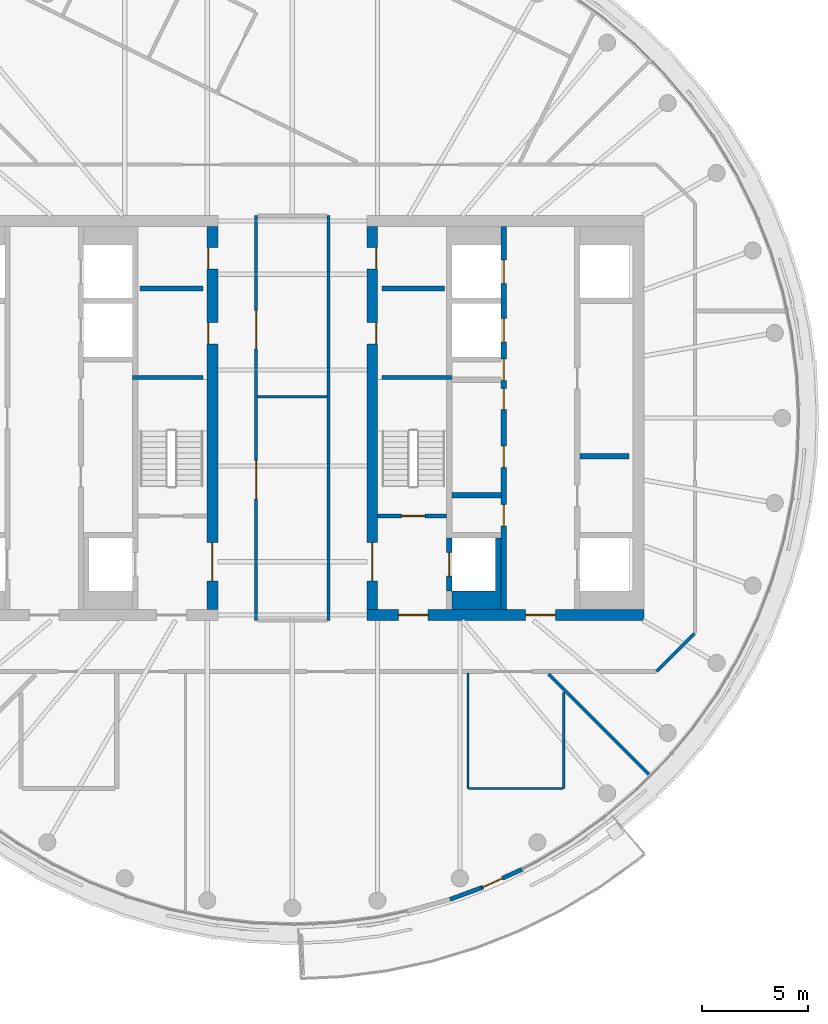
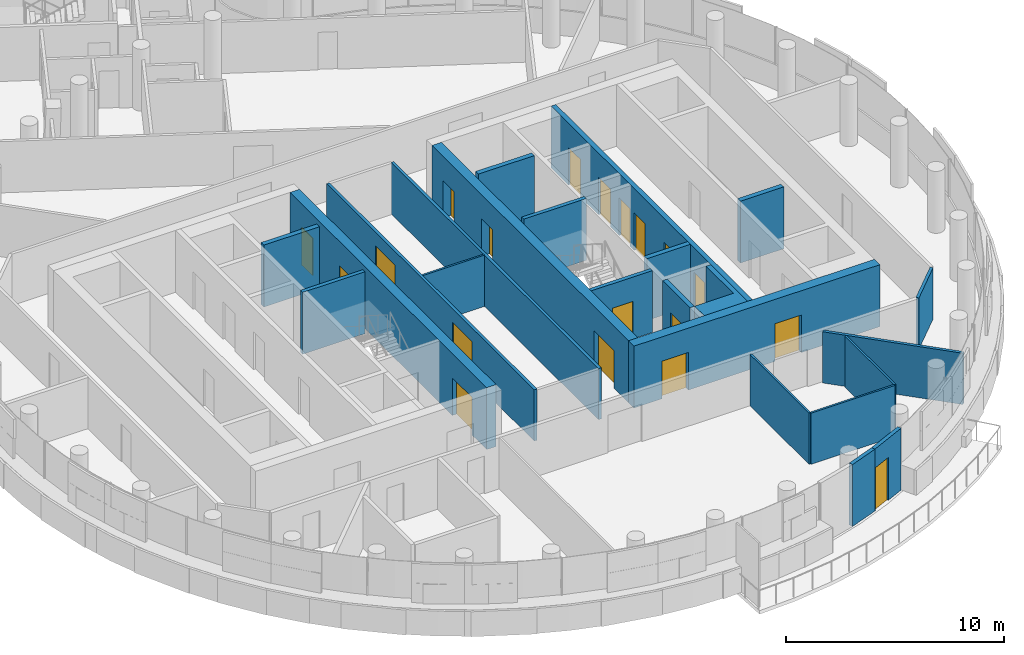
# One storey, part 14 of 21: 23 walls, 19 doors, 19 openings.
"""IFC4 building model written with IfcOpenShell, lengths in metres."""

from ifc_helpers import new_model, si_unit, direction, frame, frame_2d, origin, place, context, subcontext, project, spatial, polyline, rectangle, outline, extrude, material, layer, layer_set, type_object, element, fill, save


model = new_model("IFC4")

# Units and contexts
model_context = context("Model", 3, precision=1e-05, world=origin(), true_north=direction((0.0, 1.0)))
body_context = subcontext(model_context, "Body", "Model", "MODEL_VIEW")
ifc_project = project(units=[si_unit("LENGTHUNIT", "METRE"), si_unit("AREAUNIT", "SQUARE_METRE"), si_unit("VOLUMEUNIT", "CUBIC_METRE"), si_unit("PLANEANGLEUNIT", "RADIAN"), si_unit("MASSUNIT", "GRAM", prefix="KILO")], contexts=[model_context])

# Site, building, storey
site_placement = place(None, origin())
site = spatial("IfcSite", under=ifc_project, at=site_placement, CompositionType="ELEMENT")
building_placement = place(site_placement, origin())
building = spatial("IfcBuilding", under=site, at=building_placement, Name="Tamarind Cross Interchange Tower", CompositionType="ELEMENT")
storey_placement = place(building_placement, frame((0.0, 0.0, 264.0)))
storey = spatial("IfcBuildingStorey", under=building, at=storey_placement, Name="L67", CompositionType="ELEMENT", Elevation=264.0)

# Wall, opening, door
ifc_material_1 = material(Name="Concrete C40", Category="concrete")
ifc_layer_1 = layer(ifc_material_1, 0.199951171875)
ifc_layer_set_1 = layer_set([ifc_layer_1], Name="Concrete C40")
wall_type_1 = type_object("IfcWallType", Name="Balcony and garden door wall", PredefinedType="SOLIDWALL", material=ifc_layer_set_1)
wall_1_placement = place(storey_placement, frame((8.903564453125, -22.046142578125, 0.0), z_axis=(0.0, 0.0, 1.0), x_axis=(0.910249082094, 0.414061116923, 0.0)))
wall_1 = element("IfcWall", 1, at=wall_1_placement, inside=storey, type_object=wall_type_1, Name="EXW-L67-01-D15R", PredefinedType="SOLIDWALL", context=body_context, shape_type="SweptSolid", body=[
    extrude(rectangle(XDim=2.066162109375, YDim=0.199951171875, at=frame_2d((1.033203125, 0.0))), origin(), (0.0, 0.0, 1.0), 3.4599609375),
])
opening_1_placement = place(wall_1_placement, frame((0.050048828125, 0.0, 0.0)))
opening_1 = element("IfcOpeningElement", 2, at=opening_1_placement, cuts=wall_1, Name="Opening D2", PredefinedType="OPENING", context=body_context, shape_type="SweptSolid", body=[
    extrude(rectangle(XDim=1.0, YDim=2.39990234375, at=frame_2d((0.5, 1.199951171875))), frame((0.0, 0.10986328125, 0.0), z_axis=(0.0, -1.0, 0.0), x_axis=(1.0, 0.0, 0.0)), (0.0, 0.0, 1.0), 0.219970703125),
])
ifc_material_2 = material(Name="Aluminium and toughened glass", Category="aluminium")
door_type_1 = type_object("IfcDoorType", Name="Balcony and garden door", OperationType="SINGLE_SWING_LEFT", PredefinedType="DOOR", material=ifc_material_2)
door_1_placement = place(opening_1_placement, origin())
door_1 = element("IfcDoor", 3, at=door_1_placement, inside=storey, type_object=door_type_1, Name="DOR-L67-01-15", OperationType="SINGLE_SWING_LEFT", OverallHeight=2.39990234375, OverallWidth=1.0, PredefinedType="DOOR", context=body_context, shape_type="SweptSolid", body=[
    extrude(rectangle(XDim=1.0, YDim=2.39990234375, at=frame_2d((0.5, 1.199951171875))), frame((0.0, 0.02490234375, 0.0), z_axis=(0.0, -1.0, 0.0), x_axis=(1.0, 0.0, 0.0)), (0.0, 0.0, 1.0), 0.050048828125),
])
fill(opening_1, door_1)

# Wall
wall_2_placement = place(storey_placement, frame((7.40380859375, -22.599853515625, 0.0), z_axis=(0.0, 0.0, 1.0), x_axis=(0.938105634582, 0.346349272217, 0.0)))
element("IfcWall", 4, at=wall_2_placement, inside=storey, type_object=wall_type_1, Name="EXW-L67-01-D15", PredefinedType="SOLIDWALL", context=body_context, shape_type="SweptSolid", body=[
    extrude(rectangle(XDim=1.5986328125, YDim=0.199951171875, at=frame_2d((0.79931640625, 0.0))), origin(), (0.0, 0.0, 1.0), 3.4599609375),
])

# Wall, openings, doors
ifc_material_3 = material(Name="Concrete C50", Category="concrete")
ifc_layer_2 = layer(ifc_material_3, 0.5)
ifc_layer_set_2 = layer_set([ifc_layer_2], Name="Concrete C50")
wall_type_2 = type_object("IfcWallType", Name="Core wall 500 mm Concrete C50", PredefinedType="SHEAR", material=ifc_layer_set_2)
wall_3_placement = place(storey_placement, frame((-3.75, -9.0, 0.0), z_axis=(0.0, 0.0, 1.0), x_axis=(0.0, 1.0, 0.0)))
wall_3 = element("IfcWall", 5, at=wall_3_placement, inside=storey, type_object=wall_type_2, Name="Core wall CWL-L67-W-IN", PredefinedType="SHEAR", context=body_context, shape_type="SweptSolid", body=[
    extrude(rectangle(XDim=18.0, YDim=0.5, at=frame_2d((9.0, 0.0))), origin(), (0.0, 0.0, 1.0), 3.4599609375),
])
opening_2_placement = place(wall_3_placement, frame((1.35009765625, 0.0, 0.0)))
opening_2 = element("IfcOpeningElement", 6, at=opening_2_placement, cuts=wall_3, Name="Opening DCW4", PredefinedType="OPENING", context=body_context, shape_type="SweptSolid", body=[
    extrude(rectangle(XDim=1.800048828125, YDim=2.10009765625, at=frame_2d((0.89990234375, 1.050048828125))), frame((0.0, 0.260009765625, 0.0), z_axis=(0.0, -1.0, 0.0), x_axis=(1.0, 0.0, 0.0)), (0.0, 0.0, 1.0), 0.52001953125),
])
opening_3_placement = place(wall_3_placement, frame((12.4775390625, 0.0, 0.0)))
opening_3 = element("IfcOpeningElement", 7, at=opening_3_placement, cuts=wall_3, Name="Opening DCW5", PredefinedType="OPENING", context=body_context, shape_type="SweptSolid", body=[
    extrude(rectangle(XDim=1.0, YDim=2.10009765625, at=frame_2d((0.5, 1.050048828125))), frame((0.0, 0.260009765625, 0.0), z_axis=(0.0, -1.0, 0.0), x_axis=(1.0, 0.0, 0.0)), (0.0, 0.0, 1.0), 0.52001953125),
])
opening_4_placement = place(wall_3_placement, frame((16.00244140625, 0.0, 0.0)))
opening_4 = element("IfcOpeningElement", 8, at=opening_4_placement, cuts=wall_3, Name="Opening DCW5", PredefinedType="OPENING", context=body_context, shape_type="SweptSolid", body=[
    extrude(rectangle(XDim=1.0, YDim=2.10009765625, at=frame_2d((0.5, 1.050048828125))), frame((0.0, 0.260009765625, 0.0), z_axis=(0.0, -1.0, 0.0), x_axis=(1.0, 0.0, 0.0)), (0.0, 0.0, 1.0), 0.52001953125),
])
ifc_material_4 = material(Name="Steel, fire-resisting", Category="steel")
door_type_2 = type_object("IfcDoorType", Name="Core fire door 1000 x 2100 FD90", OperationType="SINGLE_SWING_LEFT", PredefinedType="DOOR", material=ifc_material_4)
door_2_placement = place(opening_3_placement, origin())
door_2 = element("IfcDoor", 9, at=door_2_placement, inside=storey, type_object=door_type_2, Name="L67 housekeeping pantry door", OperationType="SINGLE_SWING_LEFT", OverallHeight=2.10009765625, OverallWidth=1.0, PredefinedType="DOOR", context=body_context, shape_type="SweptSolid", body=[
    extrude(rectangle(XDim=1.0, YDim=2.10009765625, at=frame_2d((0.5, 1.050048828125))), frame((0.0, 0.22509765625, 0.0), z_axis=(0.0, -1.0, 0.0), x_axis=(1.0, 0.0, 0.0)), (0.0, 0.0, 1.0), 0.050048828125),
])
fill(opening_3, door_2)
door_3_placement = place(opening_4_placement, origin())
door_3 = element("IfcDoor", 10, at=door_3_placement, inside=storey, type_object=door_type_2, Name="L67 linen press door", OperationType="SINGLE_SWING_LEFT", OverallHeight=2.10009765625, OverallWidth=1.0, PredefinedType="DOOR", context=body_context, shape_type="SweptSolid", body=[
    extrude(rectangle(XDim=1.0, YDim=2.10009765625, at=frame_2d((0.5, 1.050048828125))), frame((0.0, 0.22509765625, 0.0), z_axis=(0.0, -1.0, 0.0), x_axis=(1.0, 0.0, 0.0)), (0.0, 0.0, 1.0), 0.050048828125),
])
fill(opening_4, door_3)
door_type_3 = type_object("IfcDoorType", Name="Core fire door 1800 x 2100 FD90", OperationType="SINGLE_SWING_LEFT", PredefinedType="DOOR", material=ifc_material_4)
door_4_placement = place(opening_2_placement, origin())
door_4 = element("IfcDoor", 11, at=door_4_placement, inside=storey, type_object=door_type_3, Name="L67 firefighting lobby door", OperationType="SINGLE_SWING_LEFT", OverallHeight=2.10009765625, OverallWidth=1.800048828125, PredefinedType="DOOR", context=body_context, shape_type="SweptSolid", body=[
    extrude(rectangle(XDim=1.800048828125, YDim=2.10009765625, at=frame_2d((0.89990234375, 1.050048828125))), frame((0.0, 0.02490234375, 0.0), z_axis=(0.0, -1.0, 0.0), x_axis=(1.0, 0.0, 0.0)), (0.0, 0.0, 1.0), 0.050048828125),
])
fill(opening_2, door_4)

wall_4_placement = place(storey_placement, frame((16.5, -9.25, 0.0), z_axis=(0.0, 0.0, 1.0), x_axis=(-1.0, 0.0, 0.0)))
wall_4 = element("IfcWall", 12, at=wall_4_placement, inside=storey, type_object=wall_type_2, Name="Core wall CWL-L67-E-S", PredefinedType="SHEAR", context=body_context, shape_type="SweptSolid", body=[
    extrude(rectangle(XDim=13.0, YDim=0.5, at=frame_2d((6.5, 0.0))), origin(), (0.0, 0.0, 1.0), 3.4599609375),
])
opening_5_placement = place(wall_4_placement, frame((4.14990234375, 0.0, 0.0)))
opening_5 = element("IfcOpeningElement", 13, at=opening_5_placement, cuts=wall_4, Name="Opening DCE1", PredefinedType="OPENING", context=body_context, shape_type="SweptSolid", body=[
    extrude(rectangle(XDim=1.39990234375, YDim=2.10009765625, at=frame_2d((0.699951171875, 1.050048828125))), frame((0.0, 0.260009765625, 0.0), z_axis=(0.0, -1.0, 0.0), x_axis=(1.0, 0.0, 0.0)), (0.0, 0.0, 1.0), 0.52001953125),
])
opening_6_placement = place(wall_4_placement, frame((10.125, 0.0, 0.0)))
opening_6 = element("IfcOpeningElement", 14, at=opening_6_placement, cuts=wall_4, Name="Opening DCEF", PredefinedType="OPENING", context=body_context, shape_type="SweptSolid", body=[
    extrude(rectangle(XDim=1.39990234375, YDim=2.10009765625, at=frame_2d((0.699951171875, 1.050048828125))), frame((0.0, 0.260009765625, 0.0), z_axis=(0.0, -1.0, 0.0), x_axis=(1.0, 0.0, 0.0)), (0.0, 0.0, 1.0), 0.52001953125),
])
door_type_4 = type_object("IfcDoorType", Name="Core fire door 1400 x 2100 FD90", OperationType="SINGLE_SWING_LEFT", PredefinedType="DOOR", material=ifc_material_4)
door_5_placement = place(opening_5_placement, origin())
door_5 = element("IfcDoor", 15, at=door_5_placement, inside=storey, type_object=door_type_4, Name="L67 lift lobby door", OperationType="SINGLE_SWING_LEFT", OverallHeight=2.10009765625, OverallWidth=1.39990234375, PredefinedType="DOOR", context=body_context, shape_type="SweptSolid", body=[
    extrude(rectangle(XDim=1.39990234375, YDim=2.10009765625, at=frame_2d((0.699951171875, 1.050048828125))), frame((0.0, 0.02490234375, 0.0), z_axis=(0.0, -1.0, 0.0), x_axis=(1.0, 0.0, 0.0)), (0.0, 0.0, 1.0), 0.050048828125),
])
fill(opening_5, door_5)
door_6_placement = place(opening_6_placement, origin())
door_6 = element("IfcDoor", 16, at=door_6_placement, inside=storey, type_object=door_type_4, Name="L67 firefighting lobby end door", OperationType="SINGLE_SWING_LEFT", OverallHeight=2.10009765625, OverallWidth=1.39990234375, PredefinedType="DOOR", context=body_context, shape_type="SweptSolid", body=[
    extrude(rectangle(XDim=1.39990234375, YDim=2.10009765625, at=frame_2d((0.699951171875, 1.050048828125))), frame((0.0, 0.02490234375, 0.0), z_axis=(0.0, -1.0, 0.0), x_axis=(1.0, 0.0, 0.0)), (0.0, 0.0, 1.0), 0.050048828125),
])
fill(opening_6, door_6)

wall_5_placement = place(storey_placement, frame((3.75, -9.0, 0.0), z_axis=(0.0, 0.0, 1.0), x_axis=(0.0, 1.0, 0.0)))
wall_5 = element("IfcWall", 17, at=wall_5_placement, inside=storey, type_object=wall_type_2, Name="Core wall CWL-L67-E-IN", PredefinedType="SHEAR", context=body_context, shape_type="SweptSolid", body=[
    extrude(rectangle(XDim=18.0, YDim=0.5, at=frame_2d((9.0, 0.0))), origin(), (0.0, 0.0, 1.0), 3.4599609375),
])
opening_7_placement = place(wall_5_placement, frame((1.35009765625, 0.0, 0.0)))
opening_7 = element("IfcOpeningElement", 18, at=opening_7_placement, cuts=wall_5, Name="Opening DCE4", PredefinedType="OPENING", context=body_context, shape_type="SweptSolid", body=[
    extrude(rectangle(XDim=1.800048828125, YDim=2.10009765625, at=frame_2d((0.89990234375, 1.050048828125))), frame((0.0, 0.260009765625, 0.0), z_axis=(0.0, -1.0, 0.0), x_axis=(1.0, 0.0, 0.0)), (0.0, 0.0, 1.0), 0.52001953125),
])
opening_8_placement = place(wall_5_placement, frame((12.4775390625, 0.0, 0.0)))
opening_8 = element("IfcOpeningElement", 19, at=opening_8_placement, cuts=wall_5, Name="Opening DCE5", PredefinedType="OPENING", context=body_context, shape_type="SweptSolid", body=[
    extrude(rectangle(XDim=1.0, YDim=2.10009765625, at=frame_2d((0.5, 1.050048828125))), frame((0.0, 0.260009765625, 0.0), z_axis=(0.0, -1.0, 0.0), x_axis=(1.0, 0.0, 0.0)), (0.0, 0.0, 1.0), 0.52001953125),
])
opening_9_placement = place(wall_5_placement, frame((16.00244140625, 0.0, 0.0)))
opening_9 = element("IfcOpeningElement", 20, at=opening_9_placement, cuts=wall_5, Name="Opening DCE5", PredefinedType="OPENING", context=body_context, shape_type="SweptSolid", body=[
    extrude(rectangle(XDim=1.0, YDim=2.10009765625, at=frame_2d((0.5, 1.050048828125))), frame((0.0, 0.260009765625, 0.0), z_axis=(0.0, -1.0, 0.0), x_axis=(1.0, 0.0, 0.0)), (0.0, 0.0, 1.0), 0.52001953125),
])
door_7_placement = place(opening_8_placement, origin())
door_7 = element("IfcDoor", 21, at=door_7_placement, inside=storey, type_object=door_type_2, Name="L67 housekeeping pantry door", OperationType="SINGLE_SWING_LEFT", OverallHeight=2.10009765625, OverallWidth=1.0, PredefinedType="DOOR", context=body_context, shape_type="SweptSolid", body=[
    extrude(rectangle(XDim=1.0, YDim=2.10009765625, at=frame_2d((0.5, 1.050048828125))), frame((0.0, -0.1748046875, 0.0), z_axis=(0.0, -1.0, 0.0), x_axis=(1.0, 0.0, 0.0)), (0.0, 0.0, 1.0), 0.050048828125),
])
fill(opening_8, door_7)
door_8_placement = place(opening_9_placement, origin())
door_8 = element("IfcDoor", 22, at=door_8_placement, inside=storey, type_object=door_type_2, Name="L67 linen press door", OperationType="SINGLE_SWING_LEFT", OverallHeight=2.10009765625, OverallWidth=1.0, PredefinedType="DOOR", context=body_context, shape_type="SweptSolid", body=[
    extrude(rectangle(XDim=1.0, YDim=2.10009765625, at=frame_2d((0.5, 1.050048828125))), frame((0.0, -0.1748046875, 0.0), z_axis=(0.0, -1.0, 0.0), x_axis=(1.0, 0.0, 0.0)), (0.0, 0.0, 1.0), 0.050048828125),
])
fill(opening_9, door_8)
door_9_placement = place(opening_7_placement, origin())
door_9 = element("IfcDoor", 23, at=door_9_placement, inside=storey, type_object=door_type_3, Name="L67 firefighting lobby door", OperationType="SINGLE_SWING_LEFT", OverallHeight=2.10009765625, OverallWidth=1.800048828125, PredefinedType="DOOR", context=body_context, shape_type="SweptSolid", body=[
    extrude(rectangle(XDim=1.800048828125, YDim=2.10009765625, at=frame_2d((0.89990234375, 1.050048828125))), frame((0.0, 0.02490234375, 0.0), z_axis=(0.0, -1.0, 0.0), x_axis=(1.0, 0.0, 0.0)), (0.0, 0.0, 1.0), 0.050048828125),
])
fill(opening_7, door_9)

# Walls
ifc_layer_3 = layer(ifc_material_3, 0.199951171875)
ifc_layer_set_3 = layer_set([ifc_layer_3], Name="Concrete C50")
wall_type_3 = type_object("IfcWallType", Name="Core web wall 200 mm Concrete C50", PredefinedType="SHEAR", material=ifc_layer_set_3)
for number, where, z_axis, x_axis, name in (
    (24, (-7.5, 1.89990234375, 0.0), (0.0, 0.0, 1.0), (1.0, 0.0, 0.0), "Core wall CWL-L67-W-BD"),
    (25, (7.5, 1.89990234375, 0.0), (0.0, 0.0, 1.0), (-1.0, 0.0, 0.0), "Core wall CWL-L67-E-BD"),
):
    element("IfcWall", number, at=place(storey_placement, frame(where, z_axis=z_axis, x_axis=x_axis)), inside=storey, type_object=wall_type_3, Name=name, PredefinedType="SHEAR", context=body_context, shape_type="SweptSolid", body=[
        extrude(rectangle(XDim=3.300048828125, YDim=0.199951171875, at=frame_2d((1.64990234375, 0.0))), origin(), (0.0, 0.0, 1.0), 3.4599609375),
    ])
ifc_layer_4 = layer(ifc_material_3, 0.25)
ifc_layer_set_4 = layer_set([ifc_layer_4], Name="Concrete C50")
wall_type_4 = type_object("IfcWallType", Name="Core web wall 250 mm Concrete C50", PredefinedType="SHEAR", material=ifc_layer_set_4)
wall_6_placement = place(storey_placement, origin())
element("IfcWall", 26, at=wall_6_placement, inside=storey, type_object=wall_type_4, Name="Core wall CWL-L67-E-BS", PredefinedType="SHEAR", context=body_context, shape_type="SweptSolid", body=[
    extrude(outline(polyline([(7.5, -8.125), (7.5, -9.0), (9.800048828125, -9.0), (9.800048828125, -8.125), (9.800048828125, -5.625), (9.550048828125, -5.625), (9.550048828125, -8.125), (7.5, -8.125)])), origin(), (0.0, 0.0, 1.0), 3.4599609375),
])

# Wall, openings, doors
wall_7_placement = place(storey_placement, frame((9.925048828125, -9.0, 0.0), z_axis=(0.0, 0.0, 1.0), x_axis=(0.0, 1.0, 0.0)))
wall_7 = element("IfcWall", 27, at=wall_7_placement, inside=storey, type_object=wall_type_4, Name="Core wall CWL-L67-E-LB", PredefinedType="SHEAR", context=body_context, shape_type="SweptSolid", body=[
    extrude(rectangle(XDim=18.0, YDim=0.25, at=frame_2d((9.0, 0.0))), origin(), (0.0, 0.0, 1.0), 3.4599609375),
])
opening_10_placement = place(wall_7_placement, frame((12.574951171875, 0.0, 0.0)))
opening_10 = element("IfcOpeningElement", 28, at=opening_10_placement, cuts=wall_7, Name="Opening LD23L67", PredefinedType="OPENING", context=body_context, shape_type="SweptSolid", body=[
    extrude(rectangle(XDim=1.10009765625, YDim=2.10009765625, at=frame_2d((0.550048828125, 1.050048828125))), frame((0.0, 0.135009765625, 0.0), z_axis=(0.0, -1.0, 0.0), x_axis=(1.0, 0.0, 0.0)), (0.0, 0.0, 1.0), 0.27001953125),
])
opening_11_placement = place(wall_7_placement, frame((15.324951171875, 0.0, 0.0)))
opening_11 = element("IfcOpeningElement", 29, at=opening_11_placement, cuts=wall_7, Name="Opening LD24L67", PredefinedType="OPENING", context=body_context, shape_type="SweptSolid", body=[
    extrude(rectangle(XDim=1.10009765625, YDim=2.10009765625, at=frame_2d((0.550048828125, 1.050048828125))), frame((0.0, 0.135009765625, 0.0), z_axis=(0.0, -1.0, 0.0), x_axis=(1.0, 0.0, 0.0)), (0.0, 0.0, 1.0), 0.27001953125),
])
opening_12_placement = place(wall_7_placement, frame((3.9375, 0.0, 0.0)))
opening_12 = element("IfcOpeningElement", 30, at=opening_12_placement, cuts=wall_7, Name="Opening DCE21", PredefinedType="OPENING", context=body_context, shape_type="SweptSolid", body=[
    extrude(rectangle(XDim=1.0, YDim=2.10009765625, at=frame_2d((0.5, 1.050048828125))), frame((0.0, 0.135009765625, 0.0), z_axis=(0.0, -1.0, 0.0), x_axis=(1.0, 0.0, 0.0)), (0.0, 0.0, 1.0), 0.27001953125),
])
opening_13_placement = place(wall_7_placement, frame((6.6875, 0.0, 0.0)))
opening_13 = element("IfcOpeningElement", 31, at=opening_13_placement, cuts=wall_7, Name="Opening DCE22", PredefinedType="OPENING", context=body_context, shape_type="SweptSolid", body=[
    extrude(rectangle(XDim=1.0, YDim=2.10009765625, at=frame_2d((0.5, 1.050048828125))), frame((0.0, 0.135009765625, 0.0), z_axis=(0.0, -1.0, 0.0), x_axis=(1.0, 0.0, 0.0)), (0.0, 0.0, 1.0), 0.27001953125),
])
opening_14_placement = place(wall_7_placement, frame((9.39599609375, 0.0, 0.0)))
opening_14 = element("IfcOpeningElement", 32, at=opening_14_placement, cuts=wall_7, Name="Opening DCE21", PredefinedType="OPENING", context=body_context, shape_type="SweptSolid", body=[
    extrude(rectangle(XDim=1.0, YDim=2.10009765625, at=frame_2d((0.5, 1.050048828125))), frame((0.0, 0.135009765625, 0.0), z_axis=(0.0, -1.0, 0.0), x_axis=(1.0, 0.0, 0.0)), (0.0, 0.0, 1.0), 0.27001953125),
])
opening_15_placement = place(wall_7_placement, frame((10.77099609375, 0.0, 0.0)))
opening_15 = element("IfcOpeningElement", 33, at=opening_15_placement, cuts=wall_7, Name="Opening DCE22", PredefinedType="OPENING", context=body_context, shape_type="SweptSolid", body=[
    extrude(rectangle(XDim=1.0, YDim=2.10009765625, at=frame_2d((0.5, 1.050048828125))), frame((0.0, 0.135009765625, 0.0), z_axis=(0.0, -1.0, 0.0), x_axis=(1.0, 0.0, 0.0)), (0.0, 0.0, 1.0), 0.27001953125),
])
door_10_placement = place(opening_12_placement, origin())
door_10 = element("IfcDoor", 34, at=door_10_placement, inside=storey, type_object=door_type_2, Name="L67 Linen press door", OperationType="SINGLE_SWING_LEFT", OverallHeight=2.10009765625, OverallWidth=1.0, PredefinedType="DOOR", context=body_context, shape_type="SweptSolid", body=[
    extrude(rectangle(XDim=1.0, YDim=2.10009765625, at=frame_2d((0.5, 1.050048828125))), frame((0.0, 0.02490234375, 0.0), z_axis=(0.0, -1.0, 0.0), x_axis=(1.0, 0.0, 0.0)), (0.0, 0.0, 1.0), 0.050048828125),
])
fill(opening_12, door_10)
door_11_placement = place(opening_13_placement, origin())
door_11 = element("IfcDoor", 35, at=door_11_placement, inside=storey, type_object=door_type_2, Name="L67 Hotel pantry door", OperationType="SINGLE_SWING_LEFT", OverallHeight=2.10009765625, OverallWidth=1.0, PredefinedType="DOOR", context=body_context, shape_type="SweptSolid", body=[
    extrude(rectangle(XDim=1.0, YDim=2.10009765625, at=frame_2d((0.5, 1.050048828125))), frame((0.0, 0.02490234375, 0.0), z_axis=(0.0, -1.0, 0.0), x_axis=(1.0, 0.0, 0.0)), (0.0, 0.0, 1.0), 0.050048828125),
])
fill(opening_13, door_11)
door_12_placement = place(opening_14_placement, origin())
door_12 = element("IfcDoor", 36, at=door_12_placement, inside=storey, type_object=door_type_2, Name="L67 Linen press door", OperationType="SINGLE_SWING_LEFT", OverallHeight=2.10009765625, OverallWidth=1.0, PredefinedType="DOOR", context=body_context, shape_type="SweptSolid", body=[
    extrude(rectangle(XDim=1.0, YDim=2.10009765625, at=frame_2d((0.5, 1.050048828125))), frame((0.0, 0.02490234375, 0.0), z_axis=(0.0, -1.0, 0.0), x_axis=(1.0, 0.0, 0.0)), (0.0, 0.0, 1.0), 0.050048828125),
])
fill(opening_14, door_12)
door_13_placement = place(opening_15_placement, origin())
door_13 = element("IfcDoor", 37, at=door_13_placement, inside=storey, type_object=door_type_2, Name="L67 Hotel pantry door", OperationType="SINGLE_SWING_LEFT", OverallHeight=2.10009765625, OverallWidth=1.0, PredefinedType="DOOR", context=body_context, shape_type="SweptSolid", body=[
    extrude(rectangle(XDim=1.0, YDim=2.10009765625, at=frame_2d((0.5, 1.050048828125))), frame((0.0, 0.02490234375, 0.0), z_axis=(0.0, -1.0, 0.0), x_axis=(1.0, 0.0, 0.0)), (0.0, 0.0, 1.0), 0.050048828125),
])
fill(opening_15, door_13)
ifc_material_5 = material(Name="Stainless steel panel", Category="steel")
door_type_5 = type_object("IfcDoorType", Name="Lift landing door 1100 x 2100 E 120", OperationType="SLIDING_TO_LEFT", PredefinedType="DOOR", material=ifc_material_5)
door_14_placement = place(opening_10_placement, origin())
door_14 = element("IfcDoor", 38, at=door_14_placement, inside=storey, type_object=door_type_5, Name="L67 landing door LF23", OperationType="SLIDING_TO_LEFT", OverallHeight=2.10009765625, OverallWidth=1.10009765625, PredefinedType="DOOR", context=body_context, shape_type="SweptSolid", body=[
    extrude(rectangle(XDim=1.10009765625, YDim=2.10009765625, at=frame_2d((0.550048828125, 1.050048828125))), frame((0.0, 0.02490234375, 0.0), z_axis=(0.0, -1.0, 0.0), x_axis=(1.0, 0.0, 0.0)), (0.0, 0.0, 1.0), 0.050048828125),
])
fill(opening_10, door_14)
door_15_placement = place(opening_11_placement, origin())
door_15 = element("IfcDoor", 39, at=door_15_placement, inside=storey, type_object=door_type_5, Name="L67 landing door LF24", OperationType="SLIDING_TO_LEFT", OverallHeight=2.10009765625, OverallWidth=1.10009765625, PredefinedType="DOOR", context=body_context, shape_type="SweptSolid", body=[
    extrude(rectangle(XDim=1.10009765625, YDim=2.10009765625, at=frame_2d((0.550048828125, 1.050048828125))), frame((0.0, 0.02490234375, 0.0), z_axis=(0.0, -1.0, 0.0), x_axis=(1.0, 0.0, 0.0)), (0.0, 0.0, 1.0), 0.050048828125),
])
fill(opening_11, door_15)

# Wall, opening, door
wall_8_placement = place(storey_placement, frame((7.375, -8.125, 0.0), z_axis=(0.0, 0.0, 1.0), x_axis=(0.0, 1.0, 0.0)))
wall_8 = element("IfcWall", 40, at=wall_8_placement, inside=storey, type_object=wall_type_4, Name="Core wall CWL-L67-E-FF", PredefinedType="SHEAR", context=body_context, shape_type="SweptSolid", body=[
    extrude(rectangle(XDim=2.5, YDim=0.25, at=frame_2d((1.25, 0.0))), origin(), (0.0, 0.0, 1.0), 3.4599609375),
])
opening_16_placement = place(wall_8_placement, frame((0.699951171875, 0.0, 0.0)))
opening_16 = element("IfcOpeningElement", 41, at=opening_16_placement, cuts=wall_8, Name="Opening LD19L67", PredefinedType="OPENING", context=body_context, shape_type="SweptSolid", body=[
    extrude(rectangle(XDim=1.10009765625, YDim=2.10009765625, at=frame_2d((0.550048828125, 1.050048828125))), frame((0.0, 0.135009765625, 0.0), z_axis=(0.0, -1.0, 0.0), x_axis=(1.0, 0.0, 0.0)), (0.0, 0.0, 1.0), 0.27001953125),
])
door_16_placement = place(opening_16_placement, origin())
door_16 = element("IfcDoor", 42, at=door_16_placement, inside=storey, type_object=door_type_5, Name="L67 landing door LF19", OperationType="SLIDING_TO_LEFT", OverallHeight=2.10009765625, OverallWidth=1.10009765625, PredefinedType="DOOR", context=body_context, shape_type="SweptSolid", body=[
    extrude(rectangle(XDim=1.10009765625, YDim=2.10009765625, at=frame_2d((0.550048828125, 1.050048828125))), frame((0.0, 0.02490234375, 0.0), z_axis=(0.0, -1.0, 0.0), x_axis=(1.0, 0.0, 0.0)), (0.0, 0.0, 1.0), 0.050048828125),
])
fill(opening_16, door_16)

# Walls
ifc_material_6 = material(Name="Gypsum board partition on steel studs", Category="steel")
ifc_layer_5 = layer(ifc_material_6, 0.10009765625)
ifc_layer_set_5 = layer_set([ifc_layer_5], Name="Gypsum board partition on steel studs")
wall_type_5 = type_object("IfcWallType", Name="Partition 100 mm EI 120", PredefinedType="PARTITIONING", material=ifc_layer_set_5)
wall_9_placement = place(storey_placement, frame((-1.639892578125, 1.0, 0.0), z_axis=(0.0, 0.0, 1.0), x_axis=(1.0, 0.0, 0.0)))
element("IfcWall", 43, at=wall_9_placement, inside=storey, type_object=wall_type_5, Name="Partition L67-023", PredefinedType="PARTITIONING", context=body_context, shape_type="SweptSolid", body=[
    extrude(rectangle(XDim=3.27978515625, YDim=0.10009765625, at=frame_2d((1.639892578125, 0.0))), origin(), (0.0, 0.0, 1.0), 2.864013671875),
])
ifc_layer_6 = layer(ifc_material_6, 0.10009765625)
ifc_layer_set_6 = layer_set([ifc_layer_6], Name="Gypsum board partition on steel studs")
wall_type_6 = type_object("IfcWallType", Name="Partition 100 mm EI 90", PredefinedType="PARTITIONING", material=ifc_layer_set_6)
wall_10_placement = place(storey_placement, frame((8.27587890625, -17.39990234375, 0.0), z_axis=(0.0, 0.0, 1.0), x_axis=(1.0, 0.0, 0.0)))
element("IfcWall", 44, at=wall_10_placement, inside=storey, type_object=wall_type_6, Name="Partition L67-021", PredefinedType="PARTITIONING", context=body_context, shape_type="SweptSolid", body=[
    extrude(rectangle(XDim=4.43017578125, YDim=0.10009765625, at=frame_2d((2.215087890625, 0.0))), origin(), (0.0, 0.0, 1.0), 2.864013671875),
])
wall_11_placement = place(storey_placement, frame((8.240966796875, -17.39990234375, 0.0), z_axis=(0.0, 0.0, 1.0), x_axis=(0.0, 1.0, 0.0)))
element("IfcWall", 45, at=wall_11_placement, inside=storey, type_object=wall_type_6, Name="Partition L67-047", PredefinedType="PARTITIONING", context=body_context, shape_type="SweptSolid", body=[
    extrude(rectangle(XDim=5.419921875, YDim=0.10009765625, at=frame_2d((2.7099609375, 0.0))), origin(), (0.0, 0.0, 1.0), 2.864013671875),
])
wall_12_placement = place(storey_placement, frame((12.740966796875, -17.39990234375, 0.0), z_axis=(0.0, 0.0, 1.0), x_axis=(0.0, 1.0, 0.0)))
element("IfcWall", 46, at=wall_12_placement, inside=storey, type_object=wall_type_6, Name="Partition L67-048", PredefinedType="PARTITIONING", context=body_context, shape_type="SweptSolid", body=[
    extrude(rectangle(XDim=4.518798828125, YDim=0.10009765625, at=frame_2d((2.25927734375, 0.0))), origin(), (0.0, 0.0, 1.0), 2.864013671875),
])
ifc_layer_7 = layer(ifc_material_6, 0.14990234375)
ifc_layer_set_7 = layer_set([ifc_layer_7], Name="Gypsum board partition on steel studs")
wall_type_7 = type_object("IfcWallType", Name="Partition 150 mm EI 120", PredefinedType="PARTITIONING", material=ifc_layer_set_7)
wall_13_placement = place(storey_placement, frame((12.034423828125, -12.034423828125, 0.0), z_axis=(0.0, 0.0, 1.0), x_axis=(0.707106781187, -0.707106781187, 0.0)))
element("IfcWall", 47, at=wall_13_placement, inside=storey, type_object=wall_type_7, Name="Partition L67-003", PredefinedType="PARTITIONING", context=body_context, shape_type="SweptSolid", body=[
    extrude(rectangle(XDim=6.6552734375, YDim=0.14990234375, at=frame_2d((3.32763671875, 0.0))), origin(), (0.0, 0.0, 1.0), 2.864013671875),
])
wall_14_placement = place(storey_placement, frame((17.10009765625, -11.89990234375, 0.0), z_axis=(0.0, 0.0, 1.0), x_axis=(0.707106781187, 0.707106781187, 0.0)))
element("IfcWall", 48, at=wall_14_placement, inside=storey, type_object=wall_type_7, Name="Partition L67-029", PredefinedType="PARTITIONING", context=body_context, shape_type="SweptSolid", body=[
    extrude(rectangle(XDim=2.50537109375, YDim=0.14990234375, at=frame_2d((1.252685546875, 0.0))), origin(), (0.0, 0.0, 1.0), 2.864013671875),
])

# Wall, openings, doors
wall_15_placement = place(storey_placement, frame((-1.699951171875, -9.5, 0.0), z_axis=(0.0, 0.0, 1.0), x_axis=(0.0, 1.0, 0.0)))
wall_15 = element("IfcWall", 49, at=wall_15_placement, inside=storey, type_object=wall_type_7, Name="Partition L67-045", PredefinedType="PARTITIONING", context=body_context, shape_type="SweptSolid", body=[
    extrude(rectangle(XDim=19.0, YDim=0.14990234375, at=frame_2d((9.5, 0.0))), origin(), (0.0, 0.0, 1.0), 2.864013671875),
])
opening_17_placement = place(wall_15_placement, frame((5.699951171875, 0.0, 0.0)))
opening_17 = element("IfcOpeningElement", 50, at=opening_17_placement, cuts=wall_15, Name="Opening D22", PredefinedType="OPENING", context=body_context, shape_type="SweptSolid", body=[
    extrude(rectangle(XDim=1.800048828125, YDim=2.10009765625, at=frame_2d((0.89990234375, 1.050048828125))), frame((0.0, 0.0849609375, 0.0), z_axis=(0.0, -1.0, 0.0), x_axis=(1.0, 0.0, 0.0)), (0.0, 0.0, 1.0), 0.169921875),
])
opening_18_placement = place(wall_15_placement, frame((12.75, 0.0, 0.0)))
opening_18 = element("IfcOpeningElement", 51, at=opening_18_placement, cuts=wall_15, Name="Opening D23", PredefinedType="OPENING", context=body_context, shape_type="SweptSolid", body=[
    extrude(rectangle(XDim=1.800048828125, YDim=2.10009765625, at=frame_2d((0.89990234375, 1.050048828125))), frame((0.0, 0.0849609375, 0.0), z_axis=(0.0, -1.0, 0.0), x_axis=(1.0, 0.0, 0.0)), (0.0, 0.0, 1.0), 0.169921875),
])
ifc_material_7 = material(Name="Fire-resisting door set")
door_type_6 = type_object("IfcDoorType", Name="Interior door 1800 x 2100 FD60S", OperationType="DOUBLE_DOOR_SINGLE_SWING", PredefinedType="DOOR", material=ifc_material_7)
door_17_placement = place(opening_17_placement, frame((1.800048828125, 0.0, 0.0), z_axis=(0.0, 0.0, 1.0), x_axis=(-1.0, 0.0, 0.0)))
door_17 = element("IfcDoor", 52, at=door_17_placement, inside=storey, type_object=door_type_6, Name="Door D22", OperationType="DOUBLE_DOOR_SINGLE_SWING", OverallHeight=2.10009765625, OverallWidth=1.800048828125, PredefinedType="DOOR", context=body_context, shape_type="SweptSolid", body=[
    extrude(rectangle(XDim=1.800048828125, YDim=2.10009765625, at=frame_2d((0.89990234375, 1.050048828125))), frame((0.0, 0.02490234375, 0.0), z_axis=(0.0, -1.0, 0.0), x_axis=(1.0, 0.0, 0.0)), (0.0, 0.0, 1.0), 0.050048828125),
])
fill(opening_17, door_17)
door_18_placement = place(opening_18_placement, frame((1.800048828125, 0.0, 0.0), z_axis=(0.0, 0.0, 1.0), x_axis=(-1.0, 0.0, 0.0)))
door_18 = element("IfcDoor", 53, at=door_18_placement, inside=storey, type_object=door_type_6, Name="Door D23", OperationType="DOUBLE_DOOR_SINGLE_SWING", OverallHeight=2.10009765625, OverallWidth=1.800048828125, PredefinedType="DOOR", context=body_context, shape_type="SweptSolid", body=[
    extrude(rectangle(XDim=1.800048828125, YDim=2.10009765625, at=frame_2d((0.89990234375, 1.050048828125))), frame((0.0, 0.02490234375, 0.0), z_axis=(0.0, -1.0, 0.0), x_axis=(1.0, 0.0, 0.0)), (0.0, 0.0, 1.0), 0.050048828125),
])
fill(opening_18, door_18)

# Walls
wall_16_placement = place(storey_placement, frame((1.699951171875, -9.5, 0.0), z_axis=(0.0, 0.0, 1.0), x_axis=(0.0, 1.0, 0.0)))
element("IfcWall", 54, at=wall_16_placement, inside=storey, type_object=wall_type_7, Name="Partition L67-046", PredefinedType="PARTITIONING", context=body_context, shape_type="SweptSolid", body=[
    extrude(rectangle(XDim=19.0, YDim=0.14990234375, at=frame_2d((9.5, 0.0))), origin(), (0.0, 0.0, 1.0), 2.864013671875),
])
ifc_layer_8 = layer(ifc_material_1, 0.25)
ifc_layer_set_8 = layer_set([ifc_layer_8], Name="Concrete C40")
wall_type_8 = type_object("IfcWallType", Name="Shaft and lobby wall 250 mm Concrete C40", PredefinedType="PARTITIONING", material=ifc_layer_set_8)
for number, where, z_axis, x_axis, name in (
    (55, (-7.14990234375, 6.080078125, 0.0), (0.0, 0.0, 1.0), (1.0, 0.0, 0.0), "Shaft wall CWL-L67-W-SVP"),
    (56, (7.14990234375, 6.080078125, 0.0), (0.0, 0.0, 1.0), (-1.0, 0.0, 0.0), "Shaft wall CWL-L67-E-SVP"),
):
    element("IfcWall", number, at=place(storey_placement, frame(where, z_axis=z_axis, x_axis=x_axis)), inside=storey, type_object=wall_type_8, Name=name, PredefinedType="PARTITIONING", context=body_context, shape_type="SweptSolid", body=[
        extrude(rectangle(XDim=2.949951171875, YDim=0.25, at=frame_2d((1.47509765625, 0.0))), origin(), (0.0, 0.0, 1.0), 3.4599609375),
    ])
for number, where, z_axis, x_axis, name in (
    (57, (15.800048828125, -1.7919921875, 0.0), (0.0, 0.0, 1.0), (-1.0, 0.0, 0.0), "Shaft wall CWL-L67-E-FPA1"),
    (58, (9.800048828125, -3.625, 0.0), (0.0, 0.0, 1.0), (-1.0, 0.0, 0.0), "Shaft wall CWL-L67-E-FPB1"),
):
    element("IfcWall", number, at=place(storey_placement, frame(where, z_axis=z_axis, x_axis=x_axis)), inside=storey, type_object=wall_type_8, Name=name, PredefinedType="PARTITIONING", context=body_context, shape_type="SweptSolid", body=[
        extrude(rectangle(XDim=2.300048828125, YDim=0.25, at=frame_2d((1.14990234375, 0.0))), origin(), (0.0, 0.0, 1.0), 3.4599609375),
    ])

# Wall, opening, door
ifc_layer_9 = layer(ifc_material_1, 0.199951171875)
ifc_layer_set_9 = layer_set([ifc_layer_9], Name="Concrete C40")
wall_type_9 = type_object("IfcWallType", Name="Stair shaft wall 200 mm Concrete C40", PredefinedType="SHEAR", material=ifc_layer_set_9)
wall_17_placement = place(storey_placement, frame((7.25, -4.60009765625, 0.0), z_axis=(0.0, 0.0, 1.0), x_axis=(-1.0, 0.0, 0.0)))
wall_17 = element("IfcWall", 59, at=wall_17_placement, inside=storey, type_object=wall_type_9, Name="Core wall CWL-L67-E-SD", PredefinedType="SHEAR", context=body_context, shape_type="SweptSolid", body=[
    extrude(rectangle(XDim=3.25, YDim=0.199951171875, at=frame_2d((1.625, 0.0))), origin(), (0.0, 0.0, 1.0), 3.4599609375),
])
opening_19_placement = place(wall_17_placement, frame((1.02490234375, 0.0, 0.0)))
opening_19 = element("IfcOpeningElement", 60, at=opening_19_placement, cuts=wall_17, Name="Opening DCE6", PredefinedType="OPENING", context=body_context, shape_type="SweptSolid", body=[
    extrude(rectangle(XDim=1.10009765625, YDim=2.10009765625, at=frame_2d((0.550048828125, 1.050048828125))), frame((0.0, 0.10986328125, 0.0), z_axis=(0.0, -1.0, 0.0), x_axis=(1.0, 0.0, 0.0)), (0.0, 0.0, 1.0), 0.219970703125),
])
door_type_7 = type_object("IfcDoorType", Name="Core fire door 1100 x 2100 FD90", OperationType="SINGLE_SWING_LEFT", PredefinedType="DOOR", material=ifc_material_4)
door_19_placement = place(opening_19_placement, origin())
door_19 = element("IfcDoor", 61, at=door_19_placement, inside=storey, type_object=door_type_7, Name="L67 stair door", OperationType="SINGLE_SWING_LEFT", OverallHeight=2.10009765625, OverallWidth=1.10009765625, PredefinedType="DOOR", context=body_context, shape_type="SweptSolid", body=[
    extrude(rectangle(XDim=1.10009765625, YDim=2.10009765625, at=frame_2d((0.550048828125, 1.050048828125))), frame((0.0, 0.02490234375, 0.0), z_axis=(0.0, -1.0, 0.0), x_axis=(1.0, 0.0, 0.0)), (0.0, 0.0, 1.0), 0.050048828125),
])
fill(opening_19, door_19)

save(model, "model.ifc")
